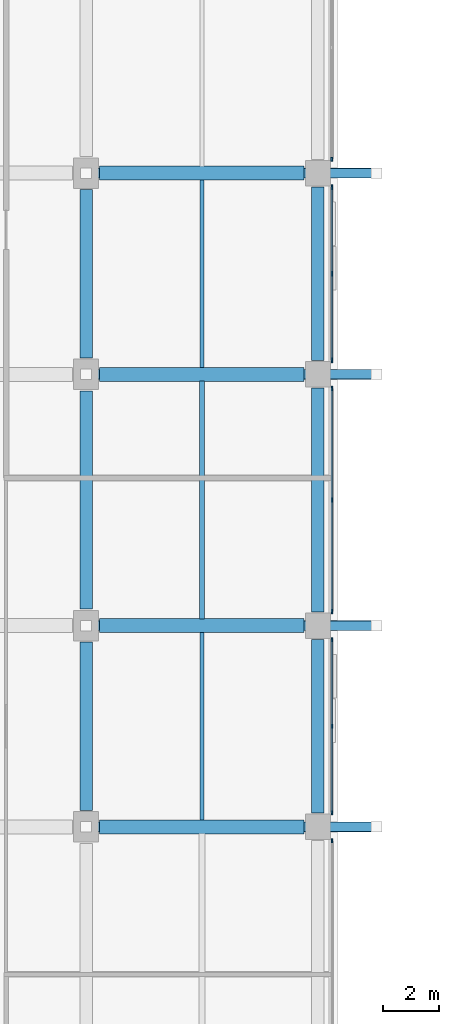
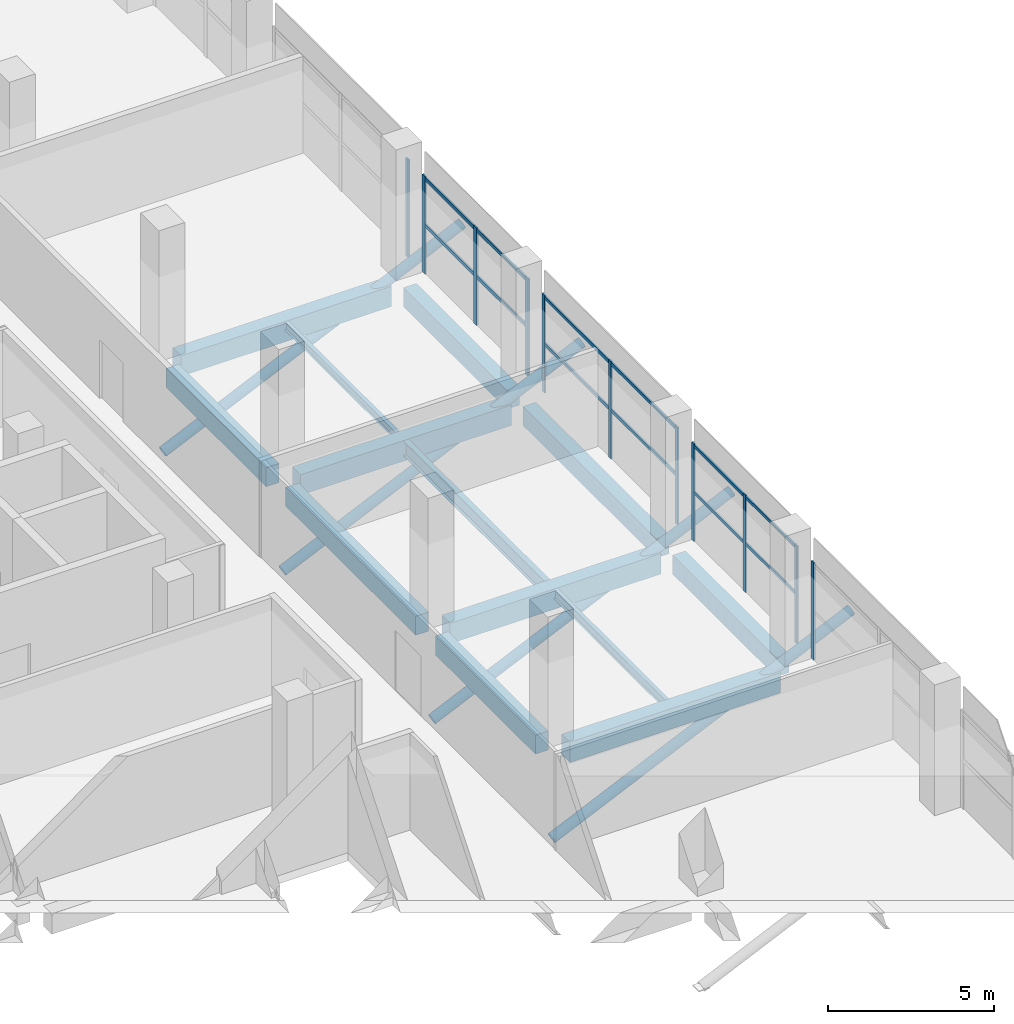
# One storey, part 17 of 82: 21 members, 13 beams, 5 elements without a shape of their own.
"""IFC4 building model written with IfcOpenShell, lengths in metres."""

from ifc_helpers import new_model, si_unit, direction, frame, origin, origin_2d, place, context, subcontext, project, spatial, rectangle, hollow_circle, i_section, extrude, material, material_profile, profile_set, type_object, element, aggregate, save


model = new_model("IFC4")

# Units and contexts
model_context = context("Model", 3, precision=1e-05, world=origin(), true_north=direction((0.0, 1.0)))
body_context = subcontext(model_context, "Body", "Model", "MODEL_VIEW")
ifc_project = project(units=[si_unit("LENGTHUNIT", "METRE"), si_unit("AREAUNIT", "SQUARE_METRE"), si_unit("VOLUMEUNIT", "CUBIC_METRE"), si_unit("PLANEANGLEUNIT", "RADIAN"), si_unit("MASSUNIT", "GRAM", prefix="KILO"), si_unit("THERMODYNAMICTEMPERATUREUNIT", "KELVIN"), si_unit("POWERUNIT", "WATT")], contexts=[model_context])

# Site, building, storey
site_placement = place(None, origin())
site = spatial("IfcSite", under=ifc_project, at=site_placement, CompositionType="ELEMENT")
building_placement = place(site_placement, origin())
building = spatial("IfcBuilding", under=site, at=building_placement, Name="Sindhuravela Promenade Stadium", CompositionType="ELEMENT")
storey_placement = place(building_placement, frame((0.0, 0.0, 14.39990234375)))
storey = spatial("IfcBuildingStorey", under=building, at=storey_placement, Name="L03", CompositionType="ELEMENT", Elevation=14.39990234375)

# Curtain wall, member
ifc_material_1 = material(Name="Anodised architectural aluminium 6063-T6", Category="aluminium")
curtain_wall_type_1 = type_object("IfcCurtainWallType", Name="CW-MOD-6", PredefinedType="NOTDEFINED", material=ifc_material_1)
curtain_wall_1_placement = place(storey_placement, origin())
curtain_wall_1 = element("IfcCurtainWall", 1, at=curtain_wall_1_placement, inside=storey, type_object=curtain_wall_type_1, Name="Bronze curtain wall CW-WEST-L03-037", PredefinedType="NOTDEFINED")
ifc_material_profile_1 = material_profile(ifc_material_1, rectangle(XDim=0.06494140625, YDim=0.14990234375, at=origin_2d()), Name="ALU MULL 65x150")
ifc_profile_set_1 = profile_set([ifc_material_profile_1], Name="Anodised architectural aluminium 6063-T6")
member_type_1 = type_object("IfcMemberType", Name="CW-MUL-2", PredefinedType="MULLION", material=ifc_profile_set_1)
member_1_placement = place(storey_placement, frame((44.800048828125, 101.300048828125, 0.0), z_axis=(0.0, 0.0, 1.0), x_axis=(1.0, 0.0, 0.0)))
member_1 = element("IfcMember", 2, at=member_1_placement, type_object=member_type_1, Name="Curtain wall mullion CW-WEST-L03-037-M3", PredefinedType="MULLION", context=body_context, shape_type="SweptSolid", body=[
    extrude(rectangle(XDim=0.06494140625, YDim=0.14990234375, at=origin_2d()), origin(), (0.0, 0.0, 1.0), 3.580078125),
])
aggregate(curtain_wall_1, [member_1])

# Curtain wall, members
curtain_wall_type_2 = type_object("IfcCurtainWallType", Name="CW-MOD-7", PredefinedType="NOTDEFINED", material=ifc_material_1)
curtain_wall_2_placement = place(storey_placement, origin())
curtain_wall_2 = element("IfcCurtainWall", 3, at=curtain_wall_2_placement, inside=storey, type_object=curtain_wall_type_2, Name="Bronze curtain wall CW-WEST-L03-038", PredefinedType="NOTDEFINED")
ifc_material_profile_2 = material_profile(ifc_material_1, rectangle(XDim=0.06005859375, YDim=0.179931640625, at=origin_2d()), Name="ALU M60x180")
ifc_profile_set_2 = profile_set([ifc_material_profile_2], Name="Anodised architectural aluminium 6063-T6")
member_type_2 = type_object("IfcMemberType", Name="CW-MUL-3", PredefinedType="MULLION", material=ifc_profile_set_2)
member_2_placement = place(storey_placement, frame((44.800048828125, 100.300048828125, 0.0), z_axis=(0.0, 0.0, 1.0), x_axis=(1.0, 0.0, 0.0)))
member_2 = element("IfcMember", 4, at=member_2_placement, type_object=member_type_2, Name="Curtain wall mullion CW-WEST-L03-038-M1", PredefinedType="MULLION", context=body_context, shape_type="SweptSolid", body=[
    extrude(rectangle(XDim=0.06005859375, YDim=0.179931640625, at=origin_2d()), origin(), (0.0, 0.0, 1.0), 3.580078125),
])
member_3_placement = place(storey_placement, frame((44.800048828125, 97.199951171875, 0.0), z_axis=(0.0, 0.0, 1.0), x_axis=(1.0, 0.0, 0.0)))
member_3 = element("IfcMember", 5, at=member_3_placement, type_object=member_type_2, Name="Curtain wall mullion CW-WEST-L03-038-M2", PredefinedType="MULLION", context=body_context, shape_type="SweptSolid", body=[
    extrude(rectangle(XDim=0.06005859375, YDim=0.179931640625, at=origin_2d()), origin(), (0.0, 0.0, 1.0), 3.580078125),
])
member_4_placement = place(storey_placement, frame((44.800048828125, 94.10009765625, 0.0), z_axis=(0.0, 0.0, 1.0), x_axis=(1.0, 0.0, 0.0)))
member_4 = element("IfcMember", 6, at=member_4_placement, type_object=member_type_2, Name="Curtain wall mullion CW-WEST-L03-038-M3", PredefinedType="MULLION", context=body_context, shape_type="SweptSolid", body=[
    extrude(rectangle(XDim=0.06005859375, YDim=0.179931640625, at=origin_2d()), origin(), (0.0, 0.0, 1.0), 3.580078125),
])

curtain_wall_type_3 = type_object("IfcCurtainWallType", Name="CW-MOD-8", PredefinedType="NOTDEFINED", material=ifc_material_1)
curtain_wall_3_placement = place(storey_placement, origin())
curtain_wall_3 = element("IfcCurtainWall", 7, at=curtain_wall_3_placement, inside=storey, type_object=curtain_wall_type_3, Name="Bronze curtain wall CW-WEST-L03-039", PredefinedType="NOTDEFINED")
ifc_material_profile_3 = material_profile(ifc_material_1, rectangle(XDim=0.06005859375, YDim=0.159912109375, at=origin_2d()), Name="ALU M60x160")
ifc_profile_set_3 = profile_set([ifc_material_profile_3], Name="Anodised architectural aluminium 6063-T6")
member_type_3 = type_object("IfcMemberType", Name="CW-MUL-4", PredefinedType="MULLION", material=ifc_profile_set_3)
member_5_placement = place(storey_placement, frame((44.800048828125, 93.10009765625, 0.0), z_axis=(0.0, 0.0, 1.0), x_axis=(1.0, 0.0, 0.0)))
member_5 = element("IfcMember", 8, at=member_5_placement, type_object=member_type_3, Name="Curtain wall mullion CW-WEST-L03-039-M1", PredefinedType="MULLION", context=body_context, shape_type="SweptSolid", body=[
    extrude(rectangle(XDim=0.06005859375, YDim=0.159912109375, at=origin_2d()), origin(), (0.0, 0.0, 1.0), 3.580078125),
])
member_6_placement = place(storey_placement, frame((44.800048828125, 89.10009765625, 0.0), z_axis=(0.0, 0.0, 1.0), x_axis=(1.0, 0.0, 0.0)))
member_6 = element("IfcMember", 9, at=member_6_placement, type_object=member_type_3, Name="Curtain wall mullion CW-WEST-L03-039-M2", PredefinedType="MULLION", context=body_context, shape_type="SweptSolid", body=[
    extrude(rectangle(XDim=0.06005859375, YDim=0.159912109375, at=origin_2d()), origin(), (0.0, 0.0, 1.0), 3.580078125),
])
member_7_placement = place(storey_placement, frame((44.800048828125, 85.10009765625, 0.0), z_axis=(0.0, 0.0, 1.0), x_axis=(1.0, 0.0, 0.0)))
member_7 = element("IfcMember", 10, at=member_7_placement, type_object=member_type_3, Name="Curtain wall mullion CW-WEST-L03-039-M3", PredefinedType="MULLION", context=body_context, shape_type="SweptSolid", body=[
    extrude(rectangle(XDim=0.06005859375, YDim=0.159912109375, at=origin_2d()), origin(), (0.0, 0.0, 1.0), 3.580078125),
])

curtain_wall_type_4 = type_object("IfcCurtainWallType", Name="CW-MOD-1", PredefinedType="NOTDEFINED", material=ifc_material_1)
curtain_wall_4_placement = place(storey_placement, origin())
curtain_wall_4 = element("IfcCurtainWall", 11, at=curtain_wall_4_placement, inside=storey, type_object=curtain_wall_type_4, Name="Bronze curtain wall CW-WEST-L03-040", PredefinedType="NOTDEFINED")
ifc_material_profile_4 = material_profile(ifc_material_1, rectangle(XDim=0.06005859375, YDim=0.139892578125, at=origin_2d()), Name="ALU M60x140")
ifc_profile_set_4 = profile_set([ifc_material_profile_4], Name="Anodised architectural aluminium 6063-T6")
member_type_4 = type_object("IfcMemberType", Name="CW-MUL-5", PredefinedType="MULLION", material=ifc_profile_set_4)
member_8_placement = place(storey_placement, frame((44.800048828125, 84.10009765625, 0.0), z_axis=(0.0, 0.0, 1.0), x_axis=(1.0, 0.0, 0.0)))
member_8 = element("IfcMember", 12, at=member_8_placement, type_object=member_type_4, Name="Curtain wall mullion CW-WEST-L03-040-M1", PredefinedType="MULLION", context=body_context, shape_type="SweptSolid", body=[
    extrude(rectangle(XDim=0.06005859375, YDim=0.139892578125, at=origin_2d()), origin(), (0.0, 0.0, 1.0), 3.580078125),
])
member_9_placement = place(storey_placement, frame((44.800048828125, 81.0, 0.0), z_axis=(0.0, 0.0, 1.0), x_axis=(1.0, 0.0, 0.0)))
member_9 = element("IfcMember", 13, at=member_9_placement, type_object=member_type_4, Name="Curtain wall mullion CW-WEST-L03-040-M2", PredefinedType="MULLION", context=body_context, shape_type="SweptSolid", body=[
    extrude(rectangle(XDim=0.06005859375, YDim=0.139892578125, at=origin_2d()), origin(), (0.0, 0.0, 1.0), 3.580078125),
])
member_10_placement = place(storey_placement, frame((44.800048828125, 77.89990234375, 0.0), z_axis=(0.0, 0.0, 1.0), x_axis=(1.0, 0.0, 0.0)))
member_10 = element("IfcMember", 14, at=member_10_placement, type_object=member_type_4, Name="Curtain wall mullion CW-WEST-L03-040-M3", PredefinedType="MULLION", context=body_context, shape_type="SweptSolid", body=[
    extrude(rectangle(XDim=0.06005859375, YDim=0.139892578125, at=origin_2d()), origin(), (0.0, 0.0, 1.0), 3.580078125),
])

# Curtain wall, member
curtain_wall_type_5 = type_object("IfcCurtainWallType", Name="CW-MOD-2", PredefinedType="NOTDEFINED", material=ifc_material_1)
curtain_wall_5_placement = place(storey_placement, origin())
curtain_wall_5 = element("IfcCurtainWall", 15, at=curtain_wall_5_placement, inside=storey, type_object=curtain_wall_type_5, Name="Bronze curtain wall CW-WEST-L03-041", PredefinedType="NOTDEFINED")
ifc_material_profile_5 = material_profile(ifc_material_1, rectangle(XDim=0.054931640625, YDim=0.14990234375, at=origin_2d()), Name="ALU M55x150")
ifc_profile_set_5 = profile_set([ifc_material_profile_5], Name="Anodised architectural aluminium 6063-T6")
member_type_5 = type_object("IfcMemberType", Name="CW-MUL-6", PredefinedType="MULLION", material=ifc_profile_set_5)
member_11_placement = place(storey_placement, frame((44.800048828125, 76.89990234375, 0.0), z_axis=(0.0, 0.0, 1.0), x_axis=(1.0, 0.0, 0.0)))
member_11 = element("IfcMember", 16, at=member_11_placement, type_object=member_type_5, Name="Curtain wall mullion CW-WEST-L03-041-M1", PredefinedType="MULLION", context=body_context, shape_type="SweptSolid", body=[
    extrude(rectangle(XDim=0.054931640625, YDim=0.14990234375, at=origin_2d()), origin(), (0.0, 0.0, 1.0), 3.580078125),
])
aggregate(curtain_wall_5, [member_11])

# Member
ifc_material_profile_6 = material_profile(ifc_material_1, rectangle(XDim=0.06005859375, YDim=0.1298828125, at=origin_2d()), Name="ALU T60x130")
ifc_profile_set_6 = profile_set([ifc_material_profile_6], Name="Anodised architectural aluminium 6063-T6")
member_type_6 = type_object("IfcMemberType", Name="CW-TRN-3", PredefinedType="USERDEFINED", material=ifc_profile_set_6)
member_12_placement = place(storey_placement, frame((44.800048828125, 100.324951171875, 1.7900390625), z_axis=(0.0, -1.0, 0.0), x_axis=(1.0, 0.0, 0.0)))
member_12 = element("IfcMember", 17, at=member_12_placement, type_object=member_type_6, Name="Curtain wall transom CW-WEST-L03-038-T1", ObjectType="TRANSOM", PredefinedType="USERDEFINED", context=body_context, shape_type="SweptSolid", body=[
    extrude(rectangle(XDim=0.06005859375, YDim=0.1298828125, at=origin_2d()), origin(), (0.0, 0.0, 1.0), 6.25),
])

member_13_placement = place(storey_placement, frame((44.800048828125, 100.324951171875, 3.5), z_axis=(0.0, -1.0, 0.0), x_axis=(1.0, 0.0, 0.0)))
member_13 = element("IfcMember", 18, at=member_13_placement, type_object=member_type_6, Name="Curtain wall transom CW-WEST-L03-038-T2", ObjectType="TRANSOM", PredefinedType="USERDEFINED", context=body_context, shape_type="SweptSolid", body=[
    extrude(rectangle(XDim=0.06005859375, YDim=0.1298828125, at=origin_2d()), origin(), (0.0, 0.0, 1.0), 6.25),
])

aggregate(curtain_wall_2, [member_2, member_3, member_4, member_12, member_13])

ifc_material_profile_7 = material_profile(ifc_material_1, rectangle(XDim=0.06005859375, YDim=0.1201171875, at=origin_2d()), Name="ALU T60x120")
ifc_profile_set_7 = profile_set([ifc_material_profile_7], Name="Anodised architectural aluminium 6063-T6")
member_type_7 = type_object("IfcMemberType", Name="CW-TRN-4", PredefinedType="USERDEFINED", material=ifc_profile_set_7)
member_14_placement = place(storey_placement, frame((44.800048828125, 93.125, 1.7900390625), z_axis=(0.0, -1.0, 0.0), x_axis=(1.0, 0.0, 0.0)))
member_14 = element("IfcMember", 19, at=member_14_placement, type_object=member_type_7, Name="Curtain wall transom CW-WEST-L03-039-T1", ObjectType="TRANSOM", PredefinedType="USERDEFINED", context=body_context, shape_type="SweptSolid", body=[
    extrude(rectangle(XDim=0.06005859375, YDim=0.1201171875, at=origin_2d()), origin(), (0.0, 0.0, 1.0), 8.050048828125),
])

member_15_placement = place(storey_placement, frame((44.800048828125, 93.125, 3.5), z_axis=(0.0, -1.0, 0.0), x_axis=(1.0, 0.0, 0.0)))
member_15 = element("IfcMember", 20, at=member_15_placement, type_object=member_type_7, Name="Curtain wall transom CW-WEST-L03-039-T2", ObjectType="TRANSOM", PredefinedType="USERDEFINED", context=body_context, shape_type="SweptSolid", body=[
    extrude(rectangle(XDim=0.06005859375, YDim=0.1201171875, at=origin_2d()), origin(), (0.0, 0.0, 1.0), 8.050048828125),
])

aggregate(curtain_wall_3, [member_5, member_6, member_7, member_14, member_15])

ifc_material_profile_8 = material_profile(ifc_material_1, rectangle(XDim=0.06005859375, YDim=0.110107421875, at=origin_2d()), Name="ALU T60x110")
ifc_profile_set_8 = profile_set([ifc_material_profile_8], Name="Anodised architectural aluminium 6063-T6")
member_type_8 = type_object("IfcMemberType", Name="CW-TRN-5", PredefinedType="USERDEFINED", material=ifc_profile_set_8)
member_16_placement = place(storey_placement, frame((44.800048828125, 84.125, 1.7900390625), z_axis=(0.0, -1.0, 0.0), x_axis=(1.0, 0.0, 0.0)))
member_16 = element("IfcMember", 21, at=member_16_placement, type_object=member_type_8, Name="Curtain wall transom CW-WEST-L03-040-T1", ObjectType="TRANSOM", PredefinedType="USERDEFINED", context=body_context, shape_type="SweptSolid", body=[
    extrude(rectangle(XDim=0.06005859375, YDim=0.110107421875, at=origin_2d()), origin(), (0.0, 0.0, 1.0), 6.25),
])

member_17_placement = place(storey_placement, frame((44.800048828125, 84.125, 3.5), z_axis=(0.0, -1.0, 0.0), x_axis=(1.0, 0.0, 0.0)))
member_17 = element("IfcMember", 22, at=member_17_placement, type_object=member_type_8, Name="Curtain wall transom CW-WEST-L03-040-T2", ObjectType="TRANSOM", PredefinedType="USERDEFINED", context=body_context, shape_type="SweptSolid", body=[
    extrude(rectangle(XDim=0.06005859375, YDim=0.110107421875, at=origin_2d()), origin(), (0.0, 0.0, 1.0), 6.25),
])

aggregate(curtain_wall_4, [member_8, member_9, member_10, member_16, member_17])

# Beams
ifc_material_2 = material(Name="Concrete M40", Category="concrete")
ifc_material_profile_9 = material_profile(ifc_material_2, rectangle(XDim=0.449951171875, YDim=0.699951171875, at=origin_2d()), Name="RC 450x700")
ifc_profile_set_9 = profile_set([ifc_material_profile_9], Name="Concrete M40")
beam_type_1 = type_object("IfcBeamType", Name="RC-BM-450x700", PredefinedType="BEAM", material=ifc_profile_set_9)
beam_1_placement = place(storey_placement, frame((36.0, 77.989990234375, -0.64990234375), z_axis=(0.0, 1.0, 0.0), x_axis=(-1.0, 0.0, 0.0)))
element("IfcBeam", 23, at=beam_1_placement, inside=storey, type_object=beam_type_1, Name="Primary beam GB07 WEST L03", PredefinedType="BEAM", context=body_context, shape_type="SweptSolid", body=[
    extrude(rectangle(XDim=0.449951171875, YDim=0.699951171875, at=origin_2d()), origin(), (0.0, 0.0, 1.0), 6.02001953125),
])
beam_2_placement = place(storey_placement, frame((36.0, 85.18994140625, -0.64990234375), z_axis=(0.0, 1.0, 0.0), x_axis=(-1.0, 0.0, 0.0)))
element("IfcBeam", 24, at=beam_2_placement, inside=storey, type_object=beam_type_1, Name="Primary beam GB07 WEST L03", PredefinedType="BEAM", context=body_context, shape_type="SweptSolid", body=[
    extrude(rectangle(XDim=0.449951171875, YDim=0.699951171875, at=origin_2d()), origin(), (0.0, 0.0, 1.0), 7.820068359375),
])
beam_3_placement = place(storey_placement, frame((36.0, 94.18994140625, -0.64990234375), z_axis=(0.0, 1.0, 0.0), x_axis=(-1.0, 0.0, 0.0)))
element("IfcBeam", 25, at=beam_3_placement, inside=storey, type_object=beam_type_1, Name="Primary beam GB07 WEST L03", PredefinedType="BEAM", context=body_context, shape_type="SweptSolid", body=[
    extrude(rectangle(XDim=0.449951171875, YDim=0.699951171875, at=origin_2d()), origin(), (0.0, 0.0, 1.0), 6.02001953125),
])
beam_4_placement = place(storey_placement, frame((44.300048828125, 77.889892578125, -0.64990234375), z_axis=(0.0, 1.0, 0.0), x_axis=(-1.0, 0.0, 0.0)))
element("IfcBeam", 26, at=beam_4_placement, inside=storey, type_object=beam_type_1, Name="Primary beam GB07 WEST L03", PredefinedType="BEAM", context=body_context, shape_type="SweptSolid", body=[
    extrude(rectangle(XDim=0.449951171875, YDim=0.699951171875, at=origin_2d()), origin(), (0.0, 0.0, 1.0), 6.22021484375),
])
beam_5_placement = place(storey_placement, frame((44.300048828125, 85.090087890625, -0.64990234375), z_axis=(0.0, 1.0, 0.0), x_axis=(-1.0, 0.0, 0.0)))
element("IfcBeam", 27, at=beam_5_placement, inside=storey, type_object=beam_type_1, Name="Primary beam GB07 WEST L03", PredefinedType="BEAM", context=body_context, shape_type="SweptSolid", body=[
    extrude(rectangle(XDim=0.449951171875, YDim=0.699951171875, at=origin_2d()), origin(), (0.0, 0.0, 1.0), 8.02001953125),
])
beam_6_placement = place(storey_placement, frame((44.300048828125, 94.090087890625, -0.64990234375), z_axis=(0.0, 1.0, 0.0), x_axis=(-1.0, 0.0, 0.0)))
element("IfcBeam", 28, at=beam_6_placement, inside=storey, type_object=beam_type_1, Name="Primary beam GB07 WEST L03", PredefinedType="BEAM", context=body_context, shape_type="SweptSolid", body=[
    extrude(rectangle(XDim=0.449951171875, YDim=0.699951171875, at=origin_2d()), origin(), (0.0, 0.0, 1.0), 6.219970703125),
])
ifc_material_profile_10 = material_profile(ifc_material_2, rectangle(XDim=0.5, YDim=0.75, at=origin_2d()), Name="RC 500x750")
ifc_profile_set_10 = profile_set([ifc_material_profile_10], Name="Concrete M40")
beam_type_2 = type_object("IfcBeamType", Name="RC-BM-500x750", PredefinedType="BEAM", material=ifc_profile_set_10)
for number, where, z_axis, x_axis, name in (
    (29, (36.489990234375, 77.39990234375, -0.6748046875), (1.0, 0.0, 0.0), (0.0, 1.0, 0.0), "Primary girder GB06 WEST L03"),
    (30, (36.489990234375, 84.60009765625, -0.6748046875), (1.0, 0.0, 0.0), (0.0, 1.0, 0.0), "Primary girder GB06 WEST L03"),
    (31, (36.489990234375, 93.60009765625, -0.6748046875), (1.0, 0.0, 0.0), (0.0, 1.0, 0.0), "Primary girder GB06 WEST L03"),
    (32, (36.489990234375, 100.800048828125, -0.6748046875), (1.0, 0.0, 0.0), (0.0, 1.0, 0.0), "Primary girder GB06 WEST L03"),
):
    element("IfcBeam", number, at=place(storey_placement, frame(where, z_axis=z_axis, x_axis=x_axis)), inside=storey, type_object=beam_type_2, Name=name, PredefinedType="BEAM", context=body_context, shape_type="SweptSolid", body=[
        extrude(rectangle(XDim=0.5, YDim=0.75, at=origin_2d()), origin(), (0.0, 0.0, 1.0), 7.320068359375),
    ])
ifc_material_3 = material(Name="Steel E350 (IS 2062 E350BR)", Category="steel")
ifc_material_profile_11 = material_profile(ifc_material_3, i_section(OverallWidth=0.139892578125, OverallDepth=0.300048828125, WebThickness=0.0078125, FlangeThickness=0.01318359375, FilletRadius=0.013916015625, at=origin_2d()), Name="ISMB 300")
ifc_profile_set_11 = profile_set([ifc_material_profile_11], Name="Steel E350 (IS 2062 E350BR)")
beam_type_3 = type_object("IfcBeamType", Name="ST-BM-MB300", PredefinedType="JOIST", material=ifc_profile_set_11)
beam_7_placement = place(storey_placement, frame((40.14990234375, 93.840087890625, -0.449951171875), z_axis=(0.0, 1.0, 0.0), x_axis=(-1.0, 0.0, 0.0)))
element("IfcBeam", 33, at=beam_7_placement, inside=storey, type_object=beam_type_3, Name="Secondary floor joist SB03 WEST L03", PredefinedType="JOIST", context=body_context, shape_type="SweptSolid", body=[
    extrude(i_section(OverallWidth=0.139892578125, OverallDepth=0.300048828125, WebThickness=0.0078125, FlangeThickness=0.01318359375, FilletRadius=0.013916015625, at=origin_2d()), origin(), (0.0, 0.0, 1.0), 6.719970703125),
])
ifc_material_profile_12 = material_profile(ifc_material_3, i_section(OverallWidth=0.139892578125, OverallDepth=0.35009765625, WebThickness=0.008056640625, FlangeThickness=0.01416015625, FilletRadius=0.013916015625, at=origin_2d()), Name="ISMB 350")
ifc_profile_set_12 = profile_set([ifc_material_profile_12], Name="Steel E350 (IS 2062 E350BR)")
beam_type_4 = type_object("IfcBeamType", Name="ST-BM-MB350", PredefinedType="JOIST", material=ifc_profile_set_12)
beam_8_placement = place(storey_placement, frame((40.14990234375, 77.639892578125, -0.474853515625), z_axis=(0.0, 1.0, 0.0), x_axis=(-1.0, 0.0, 0.0)))
element("IfcBeam", 34, at=beam_8_placement, inside=storey, type_object=beam_type_4, Name="Secondary floor joist SB04 WEST L03", PredefinedType="JOIST", context=body_context, shape_type="SweptSolid", body=[
    extrude(i_section(OverallWidth=0.139892578125, OverallDepth=0.35009765625, WebThickness=0.008056640625, FlangeThickness=0.01416015625, FilletRadius=0.013916015625, at=origin_2d()), origin(), (0.0, 0.0, 1.0), 6.72021484375),
])
ifc_material_profile_13 = material_profile(ifc_material_3, i_section(OverallWidth=0.18994140625, OverallDepth=0.550048828125, WebThickness=0.01123046875, FlangeThickness=0.019287109375, FilletRadius=0.01806640625, at=origin_2d()), Name="ISMB 550")
ifc_profile_set_13 = profile_set([ifc_material_profile_13], Name="Steel E350 (IS 2062 E350BR)")
beam_type_5 = type_object("IfcBeamType", Name="ST-BM-MB550", PredefinedType="SPANDREL", material=ifc_profile_set_13)
beam_9_placement = place(storey_placement, frame((40.14990234375, 84.840087890625, -0.574951171875), z_axis=(0.0, 1.0, 0.0), x_axis=(-1.0, 0.0, 0.0)))
element("IfcBeam", 35, at=beam_9_placement, inside=storey, type_object=beam_type_5, Name="Secondary floor joist SB08 WEST L03", PredefinedType="SPANDREL", context=body_context, shape_type="SweptSolid", body=[
    extrude(i_section(OverallWidth=0.18994140625, OverallDepth=0.550048828125, WebThickness=0.01123046875, FlangeThickness=0.019287109375, FilletRadius=0.01806640625, at=origin_2d()), origin(), (0.0, 0.0, 1.0), 8.52001953125),
])

# Members
ifc_material_profile_14 = material_profile(ifc_material_3, hollow_circle(Radius=0.177734375, WallThickness=0.011962890625, at=origin_2d()), Name="CHS 355.6x12")
ifc_profile_set_14 = profile_set([ifc_material_profile_14], Name="Steel E350 (IS 2062 E350BR)")
member_type_9 = type_object("IfcMemberType", Name="ST-MB-CHS356", PredefinedType="STRUT", material=ifc_profile_set_14)
for number, where, z_axis, x_axis, name in (
    (36, (36.0, 77.39990234375, -3.7998046875), (0.9096146847750655, 0.0, 0.41545291579378546), (0.0, 1.0, 0.0), "Upper raker prop strut MS02 STRUT-T2-W-059"),
    (37, (36.0, 84.60009765625, -3.7998046875), (0.9096146847750655, 0.0, 0.41545291579378546), (0.0, 1.0, 0.0), "Upper raker prop strut MS02 STRUT-T2-W-061"),
    (38, (36.0, 93.60009765625, -3.7998046875), (0.9096146847750655, 0.0, 0.41545291579378546), (0.0, 1.0, 0.0), "Upper raker prop strut MS02 STRUT-T2-W-063"),
    (39, (36.0, 100.800048828125, -3.7998046875), (0.9096146847750655, 0.0, 0.41545291579378546), (0.0, 1.0, 0.0), "Upper raker prop strut MS02 STRUT-T2-W-065"),
):
    element("IfcMember", number, at=place(storey_placement, frame(where, z_axis=z_axis, x_axis=x_axis)), inside=storey, type_object=member_type_9, Name=name, PredefinedType="STRUT", context=body_context, shape_type="SweptSolid", body=[
        extrude(hollow_circle(Radius=0.177734375, WallThickness=0.011962890625, at=origin_2d()), origin(), (0.0, 0.0, 1.0), 11.433349609375),
    ])

save(model, "model.ifc")
